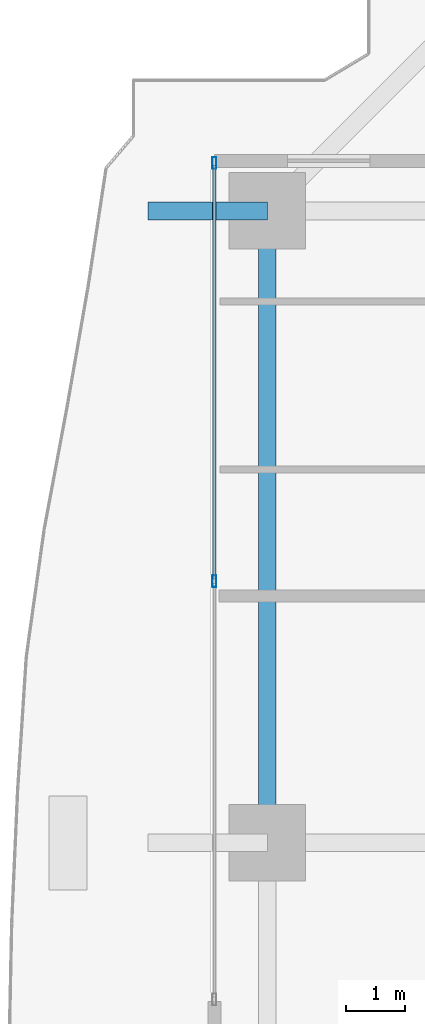
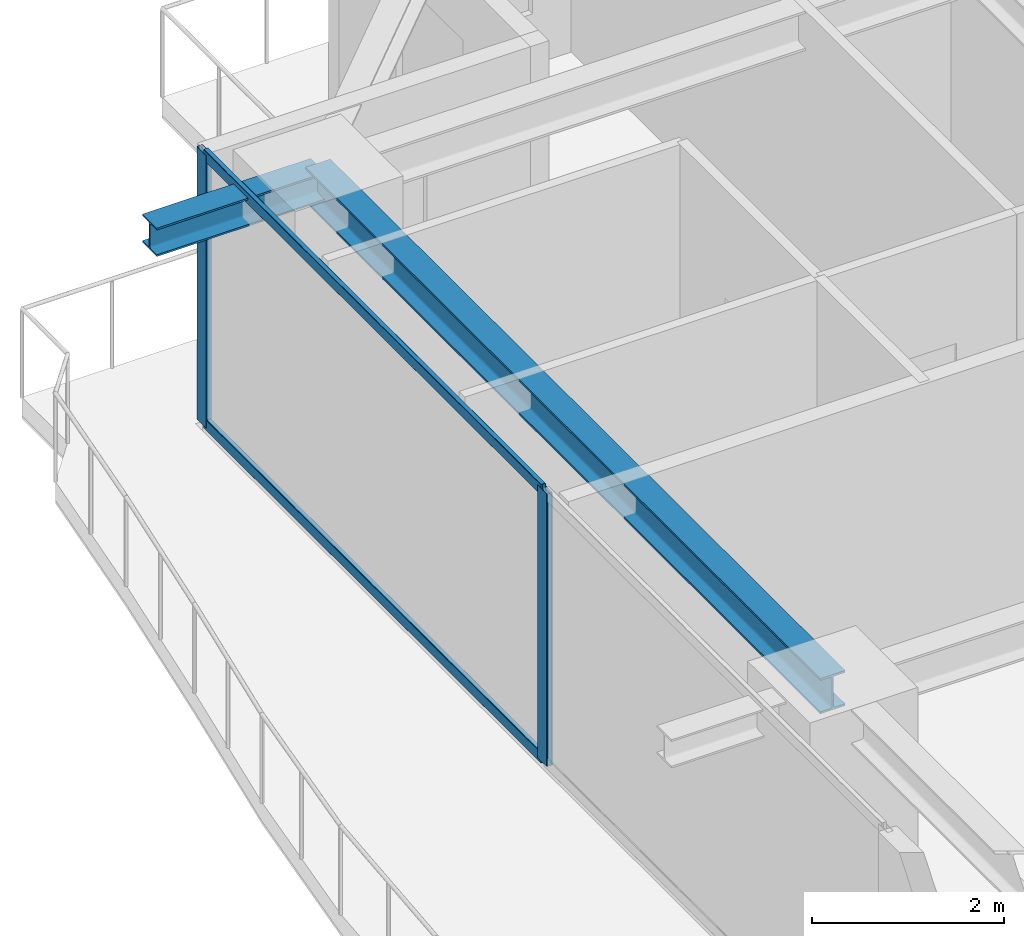
# One storey, part 16 of 35: 4 members, 2 beams, 1 element without a shape of its own.
"""IFC4 building model written with IfcOpenShell, lengths in metres."""

from ifc_helpers import new_model, si_unit, direction, frame, origin, origin_2d, place, context, subcontext, project, spatial, hollow_rectangle, i_section, extrude, source, transform, mapped, material, layer, layer_set, material_profile, profile_set, type_object, element, aggregate, save


model = new_model("IFC4")

# Units and contexts
model_context = context("Model", 3, precision=1e-05, world=origin(), true_north=direction((0.0, 1.0)))
body_context = subcontext(model_context, "Body", "Model", "MODEL_VIEW")
ifc_project = project(units=[si_unit("LENGTHUNIT", "METRE"), si_unit("AREAUNIT", "SQUARE_METRE"), si_unit("VOLUMEUNIT", "CUBIC_METRE"), si_unit("PLANEANGLEUNIT", "RADIAN"), si_unit("MASSUNIT", "GRAM", prefix="KILO")], contexts=[model_context])

# Site, building, storey
site_placement = place(None, origin())
site = spatial("IfcSite", under=ifc_project, at=site_placement, CompositionType="ELEMENT")
building_placement = place(site_placement, origin())
building = spatial("IfcBuilding", under=site, at=building_placement, Name="Serunith Strait Residences", CompositionType="ELEMENT")
storey_placement = place(building_placement, frame((0.0, 0.0, 172.64990234375)))
storey = spatial("IfcBuildingStorey", under=building, at=storey_placement, Name="L43", CompositionType="ELEMENT", Elevation=172.64990234375)

# Beams
ifc_material_1 = material(Name="Steel S355J2", Category="steel")
ifc_material_profile_1 = material_profile(ifc_material_1, i_section(OverallWidth=0.300048828125, OverallDepth=0.449951171875, WebThickness=0.013916015625, FlangeThickness=0.02587890625, FilletRadius=0.027099609375, at=origin_2d()), Name="HEB 450")
ifc_profile_set_1 = profile_set([ifc_material_profile_1], Name="Steel S355J2")
beam_type_1 = type_object("IfcBeamType", Name="BM-HEB450", PredefinedType="BEAM", material=ifc_profile_set_1)
shared_shape_1 = source(origin(), body_context, "Body", "SweptSolid", [
    extrude(i_section(OverallWidth=0.300048828125, OverallDepth=0.449951171875, WebThickness=0.013916015625, FlangeThickness=0.02587890625, FilletRadius=0.027099609375, at=origin_2d()), origin(), (0.0, 0.0, 1.0), 10.75),
])
beam_1_placement = place(storey_placement, frame((8.699951171875, 40.14990234375, 3.26220703125), z_axis=(0.0, -1.0, 0.0), x_axis=(1.0, 0.0, 0.0)))
element("IfcBeam", 1, at=beam_1_placement, inside=storey, type_object=beam_type_1, Name="L43 Perimeter Ring Beam 13", PredefinedType="BEAM", context=body_context, shape_type="MappedRepresentation", body=[
    mapped(shared_shape_1, transform((0.0, 0.0, 0.0), scale=1.0)),
])
ifc_material_profile_2 = material_profile(ifc_material_1, i_section(OverallWidth=0.300048828125, OverallDepth=0.360107421875, WebThickness=0.012451171875, FlangeThickness=0.0224609375, FilletRadius=0.027099609375, at=origin_2d()), Name="HEB 360")
ifc_profile_set_2 = profile_set([ifc_material_profile_2], Name="Steel S355J2")
beam_type_2 = type_object("IfcBeamType", Name="BM-HEB360", PredefinedType="BEAM", material=ifc_profile_set_2)
shared_shape_2 = source(origin(), body_context, "Body", "SweptSolid", [
    extrude(i_section(OverallWidth=0.300048828125, OverallDepth=0.360107421875, WebThickness=0.012451171875, FlangeThickness=0.0224609375, FilletRadius=0.027099609375, at=origin_2d()), origin(), (0.0, 0.0, 1.0), 2.030029296875),
])
beam_2_placement = place(storey_placement, frame((8.699951171875, 40.14990234375, 3.277099609375), z_axis=(-1.0, 0.0, 0.0), x_axis=(0.0, -1.0, 0.0)))
element("IfcBeam", 2, at=beam_2_placement, inside=storey, type_object=beam_type_2, Name="L44 Cantilevered Balcony Rib TC-W4", PredefinedType="BEAM", context=body_context, shape_type="MappedRepresentation", body=[
    mapped(shared_shape_2, transform((0.0, 0.0, 0.0), scale=1.0)),
])

# Curtain wall, members
ifc_material_2 = material(Name="Pale-Champagne Anodised Aluminium", Category="aluminium")
ifc_layer = layer(ifc_material_2, 0.199951171875, Name="Pale-Champagne Anodised Aluminium")
ifc_layer_set = layer_set([ifc_layer], Name="Pale-Champagne Anodised Aluminium")
curtain_wall_type = type_object("IfcCurtainWallType", Name="CW-SYS2", PredefinedType="NOTDEFINED", material=ifc_layer_set)
curtain_wall_placement = place(storey_placement, origin())
curtain_wall = element("IfcCurtainWall", 3, at=curtain_wall_placement, inside=storey, type_object=curtain_wall_type, Name="L43 W Unitised Fritted Curtain Wall", PredefinedType="NOTDEFINED")
ifc_material_profile_3 = material_profile(ifc_material_2, hollow_rectangle(XDim=0.070068359375, YDim=0.199951171875, WallThickness=0.00390625, InnerFilletRadius=0.006103515625, OuterFilletRadius=0.010009765625, at=origin_2d()), Name="ALU 200x70x4")
ifc_profile_set_3 = profile_set([ifc_material_profile_3], Name="Pale-Champagne Anodised Aluminium")
member_type_1 = type_object("IfcMemberType", Name="CW-SYS2-MULL", PredefinedType="MULLION", material=ifc_profile_set_3)
shared_shape_3 = source(origin(), body_context, "Body", "SweptSolid", [
    extrude(hollow_rectangle(XDim=0.070068359375, YDim=0.199951171875, WallThickness=0.00390625, InnerFilletRadius=0.006103515625, OuterFilletRadius=0.010009765625, at=origin_2d()), origin(), (0.0, 0.0, 1.0), 3.47509765625),
])
member_1_placement = place(storey_placement, frame((7.800048828125, 40.965087890625, 0.0), z_axis=(0.0, 0.0, 1.0), x_axis=(1.0, 0.0, 0.0)))
member_1 = element("IfcMember", 4, at=member_1_placement, type_object=member_type_1, Name="CW-2 mullion 1", PredefinedType="MULLION", context=body_context, shape_type="MappedRepresentation", body=[
    mapped(shared_shape_3, transform((0.0, 0.0, 0.0), scale=1.0)),
])
member_2_placement = place(storey_placement, frame((7.800048828125, 33.85009765625, 0.0), z_axis=(0.0, 0.0, 1.0), x_axis=(1.0, 0.0, 0.0)))
member_2 = element("IfcMember", 5, at=member_2_placement, type_object=member_type_1, Name="CW-2 mullion 2", PredefinedType="MULLION", context=body_context, shape_type="MappedRepresentation", body=[
    mapped(shared_shape_3, transform((0.0, 0.0, 0.0), scale=1.0)),
])
ifc_material_profile_4 = material_profile(ifc_material_2, hollow_rectangle(XDim=0.06005859375, YDim=0.139892578125, WallThickness=0.00341796875, InnerFilletRadius=0.00537109375, OuterFilletRadius=0.0087890625, at=origin_2d()), Name="ALU 140x60x3.5")
ifc_profile_set_4 = profile_set([ifc_material_profile_4], Name="Pale-Champagne Anodised Aluminium")
member_type_2 = type_object("IfcMemberType", Name="CW-SYS2-TRAN", PredefinedType="USERDEFINED", material=ifc_profile_set_4)
shared_shape_4 = source(origin(), body_context, "Body", "SweptSolid", [
    extrude(hollow_rectangle(XDim=0.06005859375, YDim=0.139892578125, WallThickness=0.00341796875, InnerFilletRadius=0.00537109375, OuterFilletRadius=0.0087890625, at=origin_2d()), origin(), (0.0, 0.0, 1.0), 7.044921875),
])
member_3_placement = place(storey_placement, frame((7.800048828125, 40.929931640625, 0.030029296875), z_axis=(0.0, -1.0, 0.0), x_axis=(1.0, 0.0, 0.0)))
member_3 = element("IfcMember", 6, at=member_3_placement, type_object=member_type_2, Name="CW-2 transom 1.1", ObjectType="TRANSOM", PredefinedType="USERDEFINED", context=body_context, shape_type="MappedRepresentation", body=[
    mapped(shared_shape_4, transform((0.0, 0.0, 0.0), scale=1.0)),
])
member_4_placement = place(storey_placement, frame((7.800048828125, 40.929931640625, 3.445068359375), z_axis=(0.0, -1.0, 0.0), x_axis=(1.0, 0.0, 0.0)))
member_4 = element("IfcMember", 7, at=member_4_placement, type_object=member_type_2, Name="CW-2 transom 1.2", ObjectType="TRANSOM", PredefinedType="USERDEFINED", context=body_context, shape_type="MappedRepresentation", body=[
    mapped(shared_shape_4, transform((0.0, 0.0, 0.0), scale=1.0)),
])
aggregate(curtain_wall, [member_1, member_2, member_3, member_4])

save(model, "model.ifc")
